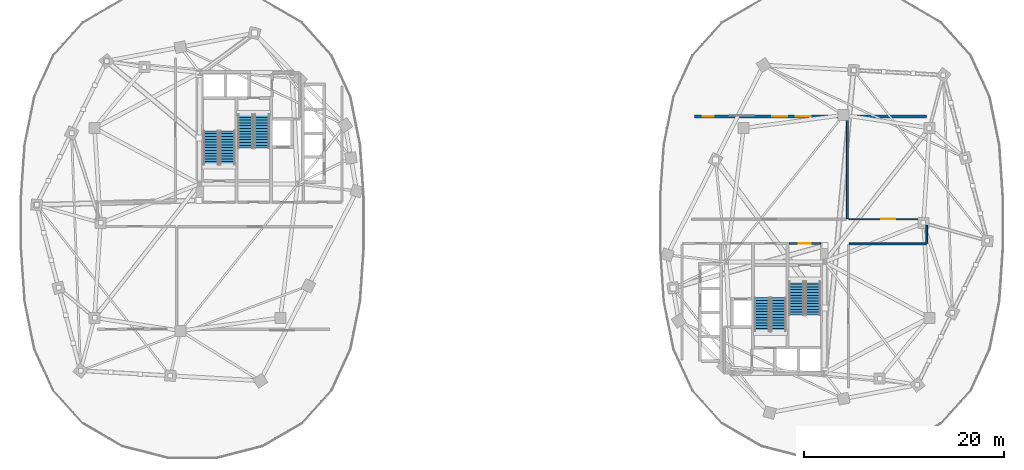
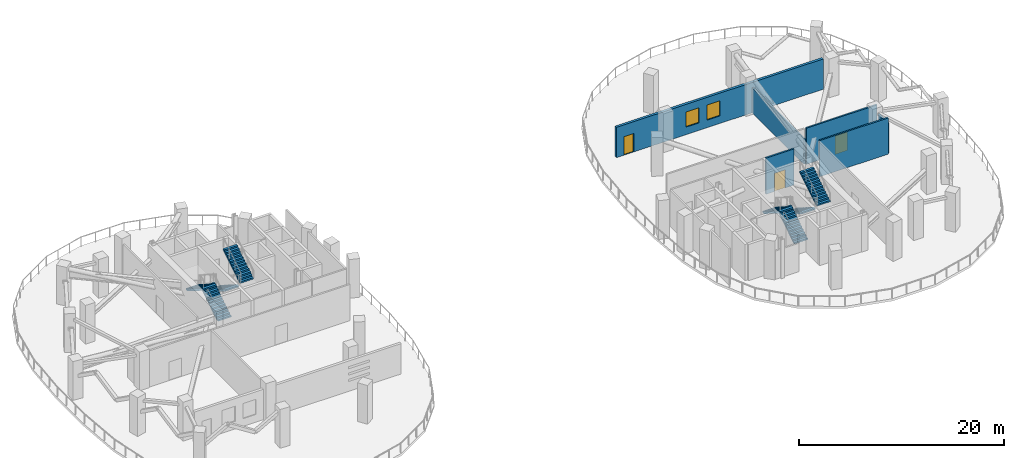
# One storey, part 7 of 13: 8 stair flights, 6 walls, 3 doors, 2 windows, 5 openings, 4 elements without a shape of their own.
"""IFC4 building model written with IfcOpenShell, lengths in metres."""

import ifcopenshell
import ifcopenshell.guid

model = None  # the IFC model being written
_history = None  # IfcOwnerHistory: only IFC2X3 demands one
_inside = {}  # id of a spatial element -> (the spatial element, [elements in it])
_under = {}  # id of a project, library or spatial element -> (it, [spatial elements below it])
_declared = {}  # id of a project -> (the project, [libraries it declares])
_typed = {}  # id of a type object -> (the type object, [elements of that type])
_made_of = {}  # id of a material, layer set ... -> (it, [elements and type objects made of it])


def new_model(schema):
    """Start an empty IFC model of exactly this schema.

    Asked for "IFC4X3", IfcOpenShell would pick the latest addendum, in which some entities
    have other attributes; the version numbers below select the first issue.
    IFC2X3 requires an IfcOwnerHistory on every rooted entity: one is made here for all.
    """
    global model, _history
    if schema == "IFC4X3":
        model = ifcopenshell.file(schema_version=(4, 3, 0, 0))
    else:
        model = ifcopenshell.file(schema=schema)
    _inside.clear()
    _under.clear()
    _declared.clear()
    _typed.clear()
    _made_of.clear()
    _history = None
    if model.schema == "IFC2X3":
        org = make("IfcOrganization", Name="unknown")
        user = make(
            "IfcPersonAndOrganization",
            ThePerson=make("IfcPerson", FamilyName="unknown"),
            TheOrganization=org,
        )
        app = make(
            "IfcApplication",
            ApplicationDeveloper=org,
            Version="unknown",
            ApplicationFullName="unknown",
            ApplicationIdentifier="unknown",
        )
        _history = make(
            "IfcOwnerHistory",
            OwningUser=user,
            OwningApplication=app,
            ChangeAction="ADDED",
            CreationDate=0,
        )
    return model


def make(cls, **values):
    """One entity of the class cls with the attributes given. An attribute that is None is left unset."""
    return model.create_entity(
        cls, **{name: value for name, value in values.items() if value is not None}
    )


def rooted(cls, **values):
    """An entity with a GlobalId (a new one), such as an element, a storey or a relation."""
    return make(cls, GlobalId=ifcopenshell.guid.new(), OwnerHistory=_history, **values)


def si_unit(unit_type, name, prefix=None):
    """IfcSIUnit, for example si_unit("LENGTHUNIT", "METRE", prefix="MILLI")."""
    return make("IfcSIUnit", UnitType=unit_type, Prefix=prefix, Name=name)


def assignment(units):
    """IfcUnitAssignment: the units of a project."""
    return None if units is None else make("IfcUnitAssignment", Units=units)


def point(xyz):
    """IfcCartesianPoint."""
    return None if xyz is None else make("IfcCartesianPoint", Coordinates=xyz)


def direction(xyz):
    """IfcDirection."""
    return None if xyz is None else make("IfcDirection", DirectionRatios=xyz)


def frame(location, z_axis=None, x_axis=None):
    """IfcAxis2Placement3D, a coordinate frame: its origin and axes. An axis left out is left unset."""
    return make(
        "IfcAxis2Placement3D",
        Location=point(location),
        Axis=direction(z_axis),
        RefDirection=direction(x_axis),
    )


def frame_2d(location, x_axis=None):
    """IfcAxis2Placement2D, a coordinate frame in the plane: its origin and x axis."""
    return make(
        "IfcAxis2Placement2D", Location=point(location), RefDirection=direction(x_axis)
    )


def origin():
    """The frame at (0, 0, 0) with its axes left unset."""
    return frame((0.0, 0.0, 0.0))


def place(relative_to, where):
    """IfcLocalPlacement: puts the frame where relative to a parent placement (None: the world)."""
    return make(
        "IfcLocalPlacement", PlacementRelTo=relative_to, RelativePlacement=where
    )


def context(
    kind, dimensions, precision=None, world=None, true_north=None, identifier=None
):
    """IfcGeometricRepresentationContext, for example the 3D "Model" context."""
    return make(
        "IfcGeometricRepresentationContext",
        ContextIdentifier=identifier,
        ContextType=kind,
        CoordinateSpaceDimension=dimensions,
        Precision=precision,
        WorldCoordinateSystem=world,
        TrueNorth=true_north,
    )


def subcontext(parent, identifier, kind, view, scale=None):
    """IfcGeometricRepresentationSubContext, for example "Body" below "Model"."""
    return make(
        "IfcGeometricRepresentationSubContext",
        ContextIdentifier=identifier,
        ContextType=kind,
        ParentContext=parent,
        TargetScale=scale,
        TargetView=view,
    )


def project(units=None, contexts=None):
    """IfcProject with its units and contexts."""
    return rooted(
        "IfcProject",
        Name="project",
        RepresentationContexts=contexts,
        UnitsInContext=assignment(units),
    )


def spatial(cls, under=None, at=None, **own):
    """A site, building, storey or space (cls), placed at a placement, below another one or the project."""
    s = rooted(cls, ObjectPlacement=at, **own)
    if under is not None:
        _under.setdefault(under.id(), (under, []))[1].append(s)
    return s


def polyline(points):
    """IfcPolyline through the points."""
    return make("IfcPolyline", Points=[point(p) for p in points])


def profile(cls, at=None, kind="AREA", **sizes):
    """A parametric profile (cls). Its sizes go by their IFC names, for example OverallWidth=200.0."""
    return make(cls, ProfileType=kind, Position=at, **sizes)


def rectangle(**sizes):
    """IfcRectangleProfileDef."""
    return profile("IfcRectangleProfileDef", **sizes)


def outline(outer, holes=None, kind="AREA"):
    """IfcArbitraryClosedProfileDef: a profile drawn as a closed curve; with holes, ...WithVoids."""
    if holes is None:
        return make("IfcArbitraryClosedProfileDef", ProfileType=kind, OuterCurve=outer)
    return make(
        "IfcArbitraryProfileDefWithVoids",
        ProfileType=kind,
        OuterCurve=outer,
        InnerCurves=holes,
    )


def extrude(swept, where, along, depth):
    """IfcExtrudedAreaSolid: the profile swept, set in the frame where, extruded along a direction by depth."""
    return make(
        "IfcExtrudedAreaSolid",
        SweptArea=swept,
        Position=where,
        ExtrudedDirection=direction(along),
        Depth=depth,
    )


def shape(context_of_items, identifier, shape_type, items):
    """IfcShapeRepresentation: the items that make up one representation, for example the "Body"."""
    return make(
        "IfcShapeRepresentation",
        ContextOfItems=context_of_items,
        RepresentationIdentifier=identifier,
        RepresentationType=shape_type,
        Items=items,
    )


def material(Name=None, Category=None):
    """IfcMaterial."""
    return make("IfcMaterial", Name=Name, Category=Category)


def layer(
    of_material, thickness, ventilated=None, Name=None, Category=None, Priority=None
):
    """IfcMaterialLayer: one layer of a wall or slab, of a material (None: an air gap)."""
    return make(
        "IfcMaterialLayer",
        Material=of_material,
        LayerThickness=thickness,
        IsVentilated=ventilated,
        Name=Name,
        Category=Category,
        Priority=Priority,
    )


def layer_set(layers, Name=None):
    """IfcMaterialLayerSet."""
    return make("IfcMaterialLayerSet", MaterialLayers=layers, LayerSetName=Name)


def made_of(thing, what):
    """Note that an element or type object is made of a material, layer set ...; save() writes the relation."""
    if what is not None:
        _made_of.setdefault(what.id(), (what, []))[1].append(thing)
    return thing


def type_object(cls, material=None, **own):
    """A type object (cls), such as IfcWallType, which elements share."""
    return made_of(rooted(cls, **own), material)


def element(
    cls,
    number,
    at=None,
    inside=None,
    cuts=None,
    type_object=None,
    material=None,
    context=None,
    identifier="Body",
    shape_type=None,
    held_by="IfcProductDefinitionShape",
    body=None,
    shapes=None,
    **own,
):
    """One element of the class cls, such as IfcWall. Its Tag is "e" and its number.

    at: its placement. inside: the storey or other place that contains it. cuts: it is an
    opening in that element (IfcRelVoidsElement). A single representation is given by context,
    identifier, shape_type and body (its items); several are given by shapes. held_by: the class
    of the entity that holds the representations. save() writes the other relations.
    """
    e = rooted(cls, Tag="e%d" % number, ObjectPlacement=at, **own)
    if body is not None:
        shapes = [shape(context, identifier, shape_type, body)]
    if shapes is not None:
        e.Representation = make(held_by, Representations=shapes)
    if inside is not None:
        _inside.setdefault(inside.id(), (inside, []))[1].append(e)
    if cuts is not None:
        rooted(
            "IfcRelVoidsElement", RelatingBuildingElement=cuts, RelatedOpeningElement=e
        )
    if type_object is not None:
        _typed.setdefault(type_object.id(), (type_object, []))[1].append(e)
    return made_of(e, material)


def fill(opening, filler):
    """IfcRelFillsElement: the door or window that sits in an opening."""
    return rooted(
        "IfcRelFillsElement",
        RelatingOpeningElement=opening,
        RelatedBuildingElement=filler,
    )


def aggregate(whole, parts):
    """IfcRelAggregates: a whole, such as a stair, and the parts it consists of."""
    return rooted("IfcRelAggregates", RelatingObject=whole, RelatedObjects=parts)


def save(model, path):
    """Write the relations noted so far, then the file.

    IfcRelAggregates (storeys below a building ...), IfcRelContainedInSpatialStructure (elements
    in a storey), IfcRelDefinesByType, IfcRelAssociatesMaterial and IfcRelDeclares: one each for
    every whole, place, type object, material and project.
    """
    for whole, parts in _under.values():
        aggregate(whole, parts)
    for where, things in _inside.values():
        rooted(
            "IfcRelContainedInSpatialStructure",
            RelatedElements=things,
            RelatingStructure=where,
        )
    for kind, things in _typed.values():
        rooted("IfcRelDefinesByType", RelatedObjects=things, RelatingType=kind)
    for what, things in _made_of.values():
        rooted("IfcRelAssociatesMaterial", RelatedObjects=things, RelatingMaterial=what)
    for by, libraries in _declared.values():
        rooted("IfcRelDeclares", RelatingContext=by, RelatedDefinitions=libraries)
    model.write(path)


model = new_model("IFC4")

# Units and contexts
model_context = context("Model", 3, precision=1e-05, world=origin(), true_north=direction((0.0, 1.0)))
body_context = subcontext(model_context, "Body", "Model", "MODEL_VIEW")
ifc_project = project(units=[si_unit("LENGTHUNIT", "METRE"), si_unit("AREAUNIT", "SQUARE_METRE"), si_unit("VOLUMEUNIT", "CUBIC_METRE"), si_unit("PLANEANGLEUNIT", "RADIAN"), si_unit("MASSUNIT", "GRAM", prefix="KILO"), si_unit("THERMODYNAMICTEMPERATUREUNIT", "KELVIN"), si_unit("POWERUNIT", "WATT")], contexts=[model_context])

# Site, building, storey
site_placement = place(None, origin())
site = spatial("IfcSite", under=ifc_project, at=site_placement, CompositionType="ELEMENT")
building_placement = place(site_placement, origin())
building = spatial("IfcBuilding", under=site, at=building_placement, Name="Cundina Bronze Exchange", CompositionType="ELEMENT")
storey_placement = place(building_placement, frame((0.0, 0.0, 77.199951171875)))
storey = spatial("IfcBuildingStorey", under=building, at=storey_placement, Name="L19", CompositionType="ELEMENT", Elevation=77.199951171875)

# Wall, opening, door
ifc_material_1 = material(Name="Gypsum Fireboard Partition EI120")
ifc_layer_1 = layer(ifc_material_1, 0.179931640625, Name="Gypsum Fireboard Partition EI120")
ifc_layer_set_1 = layer_set([ifc_layer_1], Name="Gypsum Fireboard Partition EI120")
wall_type_1 = type_object("IfcWallType", Name="WL-COR-180", PredefinedType="PARTITIONING", material=ifc_layer_set_1)
wall_1_placement = place(storey_placement, frame((27.739990234375, -2.06005859375, 0.0), z_axis=(0.0, 0.0, 1.0), x_axis=(1.0, 0.0, 0.0)))
wall_1 = element("IfcWall", 1, at=wall_1_placement, inside=storey, type_object=wall_type_1, Name="L19 E Stair Vestibule Exit Wall", PredefinedType="PARTITIONING", context=body_context, shape_type="SweptSolid", body=[
    extrude(rectangle(XDim=3.159912109375, YDim=0.179931640625, at=frame_2d((1.580078125, 0.0))), origin(), (0.0, 0.0, 1.0), 4.300048828125),
])
opening_1_placement = place(wall_1_placement, frame((0.97998046875, 0.0, 0.0)))
opening_1 = element("IfcOpeningElement", 2, at=opening_1_placement, cuts=wall_1, Name="Opening DF-01", PredefinedType="OPENING", context=body_context, shape_type="SweptSolid", body=[
    extrude(rectangle(XDim=1.199951171875, YDim=2.14990234375, at=frame_2d((0.60009765625, 1.074951171875))), frame((0.0, 0.099853515625, 0.0), z_axis=(0.0, -1.0, 0.0), x_axis=(1.0, 0.0, 0.0)), (0.0, 0.0, 1.0), 0.199951171875),
])
ifc_material_2 = material(Name="Steel ASTM A36 Painted", Category="steel")
door_type_1 = type_object("IfcDoorType", Name="DR-FFL-1200", OperationType="NOTDEFINED", PredefinedType="DOOR", material=ifc_material_2)
door_1_placement = place(opening_1_placement, origin())
door_1 = element("IfcDoor", 3, at=door_1_placement, inside=storey, type_object=door_type_1, Name="L19 E Stair Vestibule Door", OperationType="SINGLE_SWING_RIGHT", OverallHeight=2.14990234375, OverallWidth=1.199951171875, PredefinedType="DOOR", context=body_context, shape_type="SweptSolid", body=[
    extrude(rectangle(XDim=1.199951171875, YDim=2.14990234375, at=frame_2d((0.60009765625, 1.074951171875))), frame((0.0, 0.02490234375, 0.0), z_axis=(0.0, -1.0, 0.0), x_axis=(1.0, 0.0, 0.0)), (0.0, 0.0, 1.0), 0.050048828125),
])
fill(opening_1, door_1)

wall_2_placement = place(storey_placement, frame((41.65869140625, 0.3701171875, 0.0), z_axis=(0.0, 0.0, 1.0), x_axis=(-1.0, 0.0, 0.0)))
wall_2 = element("IfcWall", 4, at=wall_2_placement, inside=storey, type_object=wall_type_1, Name="L19 Interior Partition 022", PredefinedType="PARTITIONING", context=body_context, shape_type="SweptSolid", body=[
    extrude(rectangle(XDim=7.978759765625, YDim=0.179931640625, at=frame_2d((3.9892578125, 0.0))), origin(), (0.0, 0.0, 1.0), 4.300048828125),
])
opening_2_placement = place(wall_2_placement, frame((3.289306640625, 0.0, 0.0)))
opening_2 = element("IfcOpeningElement", 5, at=opening_2_placement, cuts=wall_2, Name="Opening DP-01", PredefinedType="OPENING", context=body_context, shape_type="SweptSolid", body=[
    extrude(rectangle(XDim=1.39990234375, YDim=2.199951171875, at=frame_2d((0.699951171875, 1.10009765625))), frame((0.0, 0.099853515625, 0.0), z_axis=(0.0, -1.0, 0.0), x_axis=(1.0, 0.0, 0.0)), (0.0, 0.0, 1.0), 0.199951171875),
])
door_type_2 = type_object("IfcDoorType", Name="DR-PLT-1400", OperationType="NOTDEFINED", PredefinedType="DOOR", material=ifc_material_2)
door_2_placement = place(opening_2_placement, origin())
door_2 = element("IfcDoor", 6, at=door_2_placement, inside=storey, type_object=door_type_2, Name="L19 Interior Door 022", OperationType="SINGLE_SWING_RIGHT", OverallHeight=2.199951171875, OverallWidth=1.39990234375, PredefinedType="DOOR", context=body_context, shape_type="SweptSolid", body=[
    extrude(rectangle(XDim=1.39990234375, YDim=2.199951171875, at=frame_2d((0.699951171875, 1.10009765625))), frame((0.0, 0.02490234375, 0.0), z_axis=(0.0, -1.0, 0.0), x_axis=(1.0, 0.0, 0.0)), (0.0, 0.0, 1.0), 0.050048828125),
])
fill(opening_2, door_2)

# Walls
wall_3_placement = place(storey_placement, frame((33.77001953125, -2.10009765625, 0.0), z_axis=(0.0, 0.0, 1.0), x_axis=(1.0, 0.0, 0.0)))
element("IfcWall", 7, at=wall_3_placement, inside=storey, type_object=wall_type_1, Name="L19 Interior Partition 024", PredefinedType="PARTITIONING", context=body_context, shape_type="SweptSolid", body=[
    extrude(rectangle(XDim=7.70849609375, YDim=0.179931640625, at=frame_2d((3.854248046875, 0.0))), origin(), (0.0, 0.0, 1.0), 4.300048828125),
])
wall_4_placement = place(storey_placement, frame((41.52001953125, -2.05859375, 0.0), z_axis=(0.0, 0.0, 1.0), x_axis=(0.0, 1.0, 0.0)))
element("IfcWall", 8, at=wall_4_placement, inside=storey, type_object=wall_type_1, Name="L19 Interior Partition 025", PredefinedType="PARTITIONING", context=body_context, shape_type="SweptSolid", body=[
    extrude(rectangle(XDim=1.838623046875, YDim=0.179931640625, at=frame_2d((0.91943359375, 0.0))), origin(), (0.0, 0.0, 1.0), 3.60498046875),
])
wall_5_placement = place(storey_placement, frame((33.580078125, 0.43994140625, 0.0), z_axis=(0.0, 0.0, 1.0), x_axis=(0.0, 1.0, 0.0)))
element("IfcWall", 9, at=wall_5_placement, inside=storey, type_object=wall_type_1, Name="L19 Interior Partition 026", PredefinedType="PARTITIONING", context=body_context, shape_type="SweptSolid", body=[
    extrude(rectangle(XDim=10.16015625, YDim=0.179931640625, at=frame_2d((5.080078125, 0.0))), origin(), (0.0, 0.0, 1.0), 2.9951171875),
])

# Wall, openings, door, windows
ifc_material_3 = material(Name="Precast Concrete C45/55", Category="concrete")
ifc_layer_2 = layer(ifc_material_3, 0.280029296875, Name="Precast Concrete C45/55", Category="concrete")
ifc_layer_set_2 = layer_set([ifc_layer_2], Name="Precast Concrete C45/55")
wall_type_2 = type_object("IfcWallType", Name="WL-EXT-280", PredefinedType="SOLIDWALL", material=ifc_layer_set_2)
wall_6_placement = place(storey_placement, frame((18.25, 10.64990234375, 0.0), z_axis=(0.0, 0.0, 1.0), x_axis=(1.0, 0.0, 0.0)))
wall_6 = element("IfcWall", 10, at=wall_6_placement, inside=storey, type_object=wall_type_2, Name="L19 Leg E Refuge Veranda Weather Wall", PredefinedType="SOLIDWALL", context=body_context, shape_type="SweptSolid", body=[
    extrude(rectangle(XDim=23.25, YDim=0.280029296875, at=frame_2d((11.625, 0.0))), origin(), (0.0, 0.0, 1.0), 3.60498046875),
])
opening_3_placement = place(wall_6_placement, frame((0.85009765625, 0.0, 0.0)))
opening_3 = element("IfcOpeningElement", 11, at=opening_3_placement, cuts=wall_6, Name="Opening DT-01", PredefinedType="OPENING", context=body_context, shape_type="SweptSolid", body=[
    extrude(rectangle(XDim=1.10009765625, YDim=2.199951171875, at=frame_2d((0.550048828125, 1.10009765625))), frame((0.0, 0.14990234375, 0.0), z_axis=(0.0, -1.0, 0.0), x_axis=(1.0, 0.0, 0.0)), (0.0, 0.0, 1.0), 0.300048828125),
])
opening_4_placement = place(wall_6_placement, frame((7.800048828125, 0.0, 0.89990234375)))
opening_4 = element("IfcOpeningElement", 12, at=opening_4_placement, cuts=wall_6, Name="Opening W-03", PredefinedType="OPENING", context=body_context, shape_type="SweptSolid", body=[
    extrude(rectangle(XDim=1.5, YDim=1.800048828125, at=frame_2d((0.75, 0.89990234375))), frame((0.0, 0.14990234375, 0.0), z_axis=(0.0, -1.0, 0.0), x_axis=(1.0, 0.0, 0.0)), (0.0, 0.0, 1.0), 0.300048828125),
])
opening_5_placement = place(wall_6_placement, frame((10.14990234375, 0.0, 0.89990234375)))
opening_5 = element("IfcOpeningElement", 13, at=opening_5_placement, cuts=wall_6, Name="Opening W-03", PredefinedType="OPENING", context=body_context, shape_type="SweptSolid", body=[
    extrude(rectangle(XDim=1.5, YDim=1.800048828125, at=frame_2d((0.75, 0.89990234375))), frame((0.0, 0.14990234375, 0.0), z_axis=(0.0, -1.0, 0.0), x_axis=(1.0, 0.0, 0.0)), (0.0, 0.0, 1.0), 0.300048828125),
])
ifc_material_4 = material(Name="Anodised Bronze Aluminium 6063-T6", Category="aluminium")
door_type_3 = type_object("IfcDoorType", Name="DR-TER-1100", OperationType="NOTDEFINED", PredefinedType="DOOR", material=ifc_material_4)
door_3_placement = place(opening_3_placement, origin())
door_3 = element("IfcDoor", 14, at=door_3_placement, inside=storey, type_object=door_type_3, Name="L19 Leg E Open Refuge Veranda Door", OperationType="SINGLE_SWING_RIGHT", OverallHeight=2.199951171875, OverallWidth=1.10009765625, PredefinedType="DOOR", context=body_context, shape_type="SweptSolid", body=[
    extrude(rectangle(XDim=1.10009765625, YDim=2.199951171875, at=frame_2d((0.550048828125, 1.10009765625))), frame((0.0, 0.02490234375, 0.0), z_axis=(0.0, -1.0, 0.0), x_axis=(1.0, 0.0, 0.0)), (0.0, 0.0, 1.0), 0.050048828125),
])
fill(opening_3, door_3)
ifc_material_5 = material(Name="Heat-Strengthened Solar-Control Bronze Safety Glass 28mm", Category="glass")
window_type = type_object("IfcWindowType", Name="WN-REF-1500", PartitioningType="SINGLE_PANEL", PredefinedType="WINDOW", material=ifc_material_5)
window_1_placement = place(opening_4_placement, origin())
window_1 = element("IfcWindow", 15, at=window_1_placement, inside=storey, type_object=window_type, Name="L19 Leg E Refuge Plant Window 1", OverallHeight=1.800048828125, OverallWidth=1.5, PartitioningType="SINGLE_PANEL", PredefinedType="WINDOW", context=body_context, shape_type="SweptSolid", body=[
    extrude(rectangle(XDim=1.5, YDim=1.800048828125, at=frame_2d((0.75, 0.89990234375))), frame((0.0, 0.030029296875, 0.0), z_axis=(0.0, -1.0, 0.0), x_axis=(1.0, 0.0, 0.0)), (0.0, 0.0, 1.0), 0.06005859375),
])
fill(opening_4, window_1)
window_2_placement = place(opening_5_placement, origin())
window_2 = element("IfcWindow", 16, at=window_2_placement, inside=storey, type_object=window_type, Name="L19 Leg E Refuge Plant Window 2", OverallHeight=1.800048828125, OverallWidth=1.5, PartitioningType="SINGLE_PANEL", PredefinedType="WINDOW", context=body_context, shape_type="SweptSolid", body=[
    extrude(rectangle(XDim=1.5, YDim=1.800048828125, at=frame_2d((0.75, 0.89990234375))), frame((0.0, 0.030029296875, 0.0), z_axis=(0.0, -1.0, 0.0), x_axis=(1.0, 0.0, 0.0)), (0.0, 0.0, 1.0), 0.06005859375),
])
fill(opening_5, window_2)

# Stair, stair flights
ifc_material_6 = material(Name="Concrete C40/50", Category="concrete")
stair_type = type_object("IfcStairType", Name="STR-REF-460", PredefinedType="HALF_TURN_STAIR", material=ifc_material_6)
stair_1_placement = place(storey_placement, origin())
stair_1 = element("IfcStair", 17, at=stair_1_placement, inside=storey, type_object=stair_type, Name="L19 Smokeproof Exit Stair W1", PredefinedType="HALF_TURN_STAIR")
stair_flight_type = type_object("IfcStairFlightType", Name="FLG-REF-230", PredefinedType="STRAIGHT", material=ifc_material_6)
stair_flight_1_placement = place(storey_placement, frame((-28.489990234375, 5.85009765625, 0.0), z_axis=(0.0, 0.0, 1.0), x_axis=(0.0, 1.0, 0.0)))
stair_flight_1 = element("IfcStairFlight", 18, at=stair_flight_1_placement, type_object=stair_flight_type, Name="ST-W1 flight 1", NumberOfRisers=13, NumberOfTreads=12, PredefinedType="STRAIGHT", RiserHeight=0.176923077, TreadLength=0.28, context=body_context, shape_type="SweptSolid", body=[
    extrude(outline(polyline([(0.0, 0.0), (0.0, 0.177001953125), (0.280029296875, 0.177001953125), (0.280029296875, 0.353759765625), (0.56005859375, 0.353759765625), (0.56005859375, 0.53076171875), (0.840087890625, 0.53076171875), (0.840087890625, 0.707763671875), (1.1201171875, 0.707763671875), (1.1201171875, 0.884521484375), (1.39990234375, 0.884521484375), (1.39990234375, 1.0615234375), (1.679931640625, 1.0615234375), (1.679931640625, 1.238525390625), (1.9599609375, 1.238525390625), (1.9599609375, 1.415283203125), (2.239990234375, 1.415283203125), (2.239990234375, 1.59228515625), (2.52001953125, 1.59228515625), (2.52001953125, 1.769287109375), (2.800048828125, 1.769287109375), (2.800048828125, 1.946044921875), (3.080078125, 1.946044921875), (3.080078125, 2.123046875), (3.360107421875, 2.123046875), (3.360107421875, 2.300048828125), (3.360107421875, 1.94580078125), (0.280517578125, 0.0), (0.0, 0.0)])), frame((0.0, 0.75, 0.0), z_axis=(0.0, -1.0, 0.0), x_axis=(1.0, 0.0, 0.0)), (0.0, 0.0, 1.0), 1.5),
])
stair_flight_2_placement = place(storey_placement, frame((-30.14990234375, 9.2099609375, 2.300048828125), z_axis=(0.0, 0.0, 1.0), x_axis=(0.0, -1.0, 0.0)))
stair_flight_2 = element("IfcStairFlight", 19, at=stair_flight_2_placement, type_object=stair_flight_type, Name="ST-W1 flight 2", NumberOfRisers=13, NumberOfTreads=12, PredefinedType="STRAIGHT", RiserHeight=0.176923077, TreadLength=0.28, context=body_context, shape_type="SweptSolid", body=[
    extrude(outline(polyline([(0.0, 0.0), (0.0, 0.177001953125), (0.280029296875, 0.177001953125), (0.280029296875, 0.353759765625), (0.56005859375, 0.353759765625), (0.56005859375, 0.53076171875), (0.840087890625, 0.53076171875), (0.840087890625, 0.707763671875), (1.1201171875, 0.707763671875), (1.1201171875, 0.884521484375), (1.39990234375, 0.884521484375), (1.39990234375, 1.0615234375), (1.679931640625, 1.0615234375), (1.679931640625, 1.238525390625), (1.9599609375, 1.238525390625), (1.9599609375, 1.415283203125), (2.239990234375, 1.415283203125), (2.239990234375, 1.59228515625), (2.52001953125, 1.59228515625), (2.52001953125, 1.769287109375), (2.800048828125, 1.769287109375), (2.800048828125, 1.946044921875), (3.080078125, 1.946044921875), (3.080078125, 2.123046875), (3.360107421875, 2.123046875), (3.360107421875, 2.300048828125), (3.360107421875, 1.94580078125), (0.280517578125, 0.0), (0.0, 0.0)])), frame((0.0, 0.75, 0.0), z_axis=(0.0, -1.0, 0.0), x_axis=(1.0, 0.0, 0.0)), (0.0, 0.0, 1.0), 1.5),
])
aggregate(stair_1, [stair_flight_1, stair_flight_2])

stair_2_placement = place(storey_placement, origin())
stair_2 = element("IfcStair", 20, at=stair_2_placement, inside=storey, type_object=stair_type, Name="L19 Smokeproof Exit Stair W2", PredefinedType="HALF_TURN_STAIR")
stair_flight_3_placement = place(storey_placement, frame((-26.68994140625, 10.85009765625, 0.0), z_axis=(0.0, 0.0, 1.0), x_axis=(0.0, -1.0, 0.0)))
stair_flight_3 = element("IfcStairFlight", 21, at=stair_flight_3_placement, type_object=stair_flight_type, Name="ST-W2 flight 1", NumberOfRisers=13, NumberOfTreads=12, PredefinedType="STRAIGHT", RiserHeight=0.176923077, TreadLength=0.28, context=body_context, shape_type="SweptSolid", body=[
    extrude(outline(polyline([(0.0, 0.0), (0.0, 0.177001953125), (0.280029296875, 0.177001953125), (0.280029296875, 0.353759765625), (0.56005859375, 0.353759765625), (0.56005859375, 0.53076171875), (0.840087890625, 0.53076171875), (0.840087890625, 0.707763671875), (1.1201171875, 0.707763671875), (1.1201171875, 0.884521484375), (1.39990234375, 0.884521484375), (1.39990234375, 1.0615234375), (1.679931640625, 1.0615234375), (1.679931640625, 1.238525390625), (1.9599609375, 1.238525390625), (1.9599609375, 1.415283203125), (2.239990234375, 1.415283203125), (2.239990234375, 1.59228515625), (2.52001953125, 1.59228515625), (2.52001953125, 1.769287109375), (2.800048828125, 1.769287109375), (2.800048828125, 1.946044921875), (3.080078125, 1.946044921875), (3.080078125, 2.123046875), (3.360107421875, 2.123046875), (3.360107421875, 2.300048828125), (3.360107421875, 1.94580078125), (0.280517578125, 0.0), (0.0, 0.0)])), frame((0.0, 0.75, 0.0), z_axis=(0.0, -1.0, 0.0), x_axis=(1.0, 0.0, 0.0)), (0.0, 0.0, 1.0), 1.5),
])
stair_flight_4_placement = place(storey_placement, frame((-25.030029296875, 7.489990234375, 2.300048828125), z_axis=(0.0, 0.0, 1.0), x_axis=(0.0, 1.0, 0.0)))
stair_flight_4 = element("IfcStairFlight", 22, at=stair_flight_4_placement, type_object=stair_flight_type, Name="ST-W2 flight 2", NumberOfRisers=13, NumberOfTreads=12, PredefinedType="STRAIGHT", RiserHeight=0.176923077, TreadLength=0.28, context=body_context, shape_type="SweptSolid", body=[
    extrude(outline(polyline([(0.0, 0.0), (0.0, 0.177001953125), (0.280029296875, 0.177001953125), (0.280029296875, 0.353759765625), (0.56005859375, 0.353759765625), (0.56005859375, 0.53076171875), (0.840087890625, 0.53076171875), (0.840087890625, 0.707763671875), (1.1201171875, 0.707763671875), (1.1201171875, 0.884521484375), (1.39990234375, 0.884521484375), (1.39990234375, 1.0615234375), (1.679931640625, 1.0615234375), (1.679931640625, 1.238525390625), (1.9599609375, 1.238525390625), (1.9599609375, 1.415283203125), (2.239990234375, 1.415283203125), (2.239990234375, 1.59228515625), (2.52001953125, 1.59228515625), (2.52001953125, 1.769287109375), (2.800048828125, 1.769287109375), (2.800048828125, 1.946044921875), (3.080078125, 1.946044921875), (3.080078125, 2.123046875), (3.360107421875, 2.123046875), (3.360107421875, 2.300048828125), (3.360107421875, 1.94580078125), (0.280517578125, 0.0), (0.0, 0.0)])), frame((0.0, 0.75, 0.0), z_axis=(0.0, -1.0, 0.0), x_axis=(1.0, 0.0, 0.0)), (0.0, 0.0, 1.0), 1.5),
])
aggregate(stair_2, [stair_flight_3, stair_flight_4])

stair_3_placement = place(storey_placement, origin())
stair_3 = element("IfcStair", 23, at=stair_3_placement, inside=storey, type_object=stair_type, Name="L19 Smokeproof Exit Stair E1", PredefinedType="HALF_TURN_STAIR")
stair_flight_5_placement = place(storey_placement, frame((28.489990234375, -5.85009765625, 0.0), z_axis=(0.0, 0.0, 1.0), x_axis=(0.0, -1.0, 0.0)))
stair_flight_5 = element("IfcStairFlight", 24, at=stair_flight_5_placement, type_object=stair_flight_type, Name="ST-E1 flight 1", NumberOfRisers=13, NumberOfTreads=12, PredefinedType="STRAIGHT", RiserHeight=0.176923077, TreadLength=0.28, context=body_context, shape_type="SweptSolid", body=[
    extrude(outline(polyline([(0.0, 0.0), (0.0, 0.177001953125), (0.280029296875, 0.177001953125), (0.280029296875, 0.353759765625), (0.56005859375, 0.353759765625), (0.56005859375, 0.53076171875), (0.840087890625, 0.53076171875), (0.840087890625, 0.707763671875), (1.1201171875, 0.707763671875), (1.1201171875, 0.884521484375), (1.39990234375, 0.884521484375), (1.39990234375, 1.0615234375), (1.679931640625, 1.0615234375), (1.679931640625, 1.238525390625), (1.9599609375, 1.238525390625), (1.9599609375, 1.415283203125), (2.239990234375, 1.415283203125), (2.239990234375, 1.59228515625), (2.52001953125, 1.59228515625), (2.52001953125, 1.769287109375), (2.800048828125, 1.769287109375), (2.800048828125, 1.946044921875), (3.080078125, 1.946044921875), (3.080078125, 2.123046875), (3.360107421875, 2.123046875), (3.360107421875, 2.300048828125), (3.360107421875, 1.94580078125), (0.280517578125, 0.0), (0.0, 0.0)])), frame((0.0, 0.75, 0.0), z_axis=(0.0, -1.0, 0.0), x_axis=(1.0, 0.0, 0.0)), (0.0, 0.0, 1.0), 1.5),
])
stair_flight_6_placement = place(storey_placement, frame((30.14990234375, -9.2099609375, 2.300048828125), z_axis=(0.0, 0.0, 1.0), x_axis=(0.0, 1.0, 0.0)))
stair_flight_6 = element("IfcStairFlight", 25, at=stair_flight_6_placement, type_object=stair_flight_type, Name="ST-E1 flight 2", NumberOfRisers=13, NumberOfTreads=12, PredefinedType="STRAIGHT", RiserHeight=0.176923077, TreadLength=0.28, context=body_context, shape_type="SweptSolid", body=[
    extrude(outline(polyline([(0.0, 0.0), (0.0, 0.177001953125), (0.280029296875, 0.177001953125), (0.280029296875, 0.353759765625), (0.56005859375, 0.353759765625), (0.56005859375, 0.53076171875), (0.840087890625, 0.53076171875), (0.840087890625, 0.707763671875), (1.1201171875, 0.707763671875), (1.1201171875, 0.884521484375), (1.39990234375, 0.884521484375), (1.39990234375, 1.0615234375), (1.679931640625, 1.0615234375), (1.679931640625, 1.238525390625), (1.9599609375, 1.238525390625), (1.9599609375, 1.415283203125), (2.239990234375, 1.415283203125), (2.239990234375, 1.59228515625), (2.52001953125, 1.59228515625), (2.52001953125, 1.769287109375), (2.800048828125, 1.769287109375), (2.800048828125, 1.946044921875), (3.080078125, 1.946044921875), (3.080078125, 2.123046875), (3.360107421875, 2.123046875), (3.360107421875, 2.300048828125), (3.360107421875, 1.94580078125), (0.280517578125, 0.0), (0.0, 0.0)])), frame((0.0, 0.75, 0.0), z_axis=(0.0, -1.0, 0.0), x_axis=(1.0, 0.0, 0.0)), (0.0, 0.0, 1.0), 1.5),
])
aggregate(stair_3, [stair_flight_5, stair_flight_6])

stair_4_placement = place(storey_placement, origin())
stair_4 = element("IfcStair", 26, at=stair_4_placement, inside=storey, type_object=stair_type, Name="L19 Smokeproof Exit Stair E2", PredefinedType="HALF_TURN_STAIR")
stair_flight_7_placement = place(storey_placement, frame((26.68994140625, -10.85009765625, 0.0), z_axis=(0.0, 0.0, 1.0), x_axis=(0.0, 1.0, 0.0)))
stair_flight_7 = element("IfcStairFlight", 27, at=stair_flight_7_placement, type_object=stair_flight_type, Name="ST-E2 flight 1", NumberOfRisers=13, NumberOfTreads=12, PredefinedType="STRAIGHT", RiserHeight=0.176923077, TreadLength=0.28, context=body_context, shape_type="SweptSolid", body=[
    extrude(outline(polyline([(0.0, 0.0), (0.0, 0.177001953125), (0.280029296875, 0.177001953125), (0.280029296875, 0.353759765625), (0.56005859375, 0.353759765625), (0.56005859375, 0.53076171875), (0.840087890625, 0.53076171875), (0.840087890625, 0.707763671875), (1.1201171875, 0.707763671875), (1.1201171875, 0.884521484375), (1.39990234375, 0.884521484375), (1.39990234375, 1.0615234375), (1.679931640625, 1.0615234375), (1.679931640625, 1.238525390625), (1.9599609375, 1.238525390625), (1.9599609375, 1.415283203125), (2.239990234375, 1.415283203125), (2.239990234375, 1.59228515625), (2.52001953125, 1.59228515625), (2.52001953125, 1.769287109375), (2.800048828125, 1.769287109375), (2.800048828125, 1.946044921875), (3.080078125, 1.946044921875), (3.080078125, 2.123046875), (3.360107421875, 2.123046875), (3.360107421875, 2.300048828125), (3.360107421875, 1.94580078125), (0.280517578125, 0.0), (0.0, 0.0)])), frame((0.0, 0.75, 0.0), z_axis=(0.0, -1.0, 0.0), x_axis=(1.0, 0.0, 0.0)), (0.0, 0.0, 1.0), 1.5),
])
stair_flight_8_placement = place(storey_placement, frame((25.030029296875, -7.489990234375, 2.300048828125), z_axis=(0.0, 0.0, 1.0), x_axis=(0.0, -1.0, 0.0)))
stair_flight_8 = element("IfcStairFlight", 28, at=stair_flight_8_placement, type_object=stair_flight_type, Name="ST-E2 flight 2", NumberOfRisers=13, NumberOfTreads=12, PredefinedType="STRAIGHT", RiserHeight=0.176923077, TreadLength=0.28, context=body_context, shape_type="SweptSolid", body=[
    extrude(outline(polyline([(0.0, 0.0), (0.0, 0.177001953125), (0.280029296875, 0.177001953125), (0.280029296875, 0.353759765625), (0.56005859375, 0.353759765625), (0.56005859375, 0.53076171875), (0.840087890625, 0.53076171875), (0.840087890625, 0.707763671875), (1.1201171875, 0.707763671875), (1.1201171875, 0.884521484375), (1.39990234375, 0.884521484375), (1.39990234375, 1.0615234375), (1.679931640625, 1.0615234375), (1.679931640625, 1.238525390625), (1.9599609375, 1.238525390625), (1.9599609375, 1.415283203125), (2.239990234375, 1.415283203125), (2.239990234375, 1.59228515625), (2.52001953125, 1.59228515625), (2.52001953125, 1.769287109375), (2.800048828125, 1.769287109375), (2.800048828125, 1.946044921875), (3.080078125, 1.946044921875), (3.080078125, 2.123046875), (3.360107421875, 2.123046875), (3.360107421875, 2.300048828125), (3.360107421875, 1.94580078125), (0.280517578125, 0.0), (0.0, 0.0)])), frame((0.0, 0.75, 0.0), z_axis=(0.0, -1.0, 0.0), x_axis=(1.0, 0.0, 0.0)), (0.0, 0.0, 1.0), 1.5),
])
aggregate(stair_4, [stair_flight_7, stair_flight_8])

save(model, "model.ifc")
